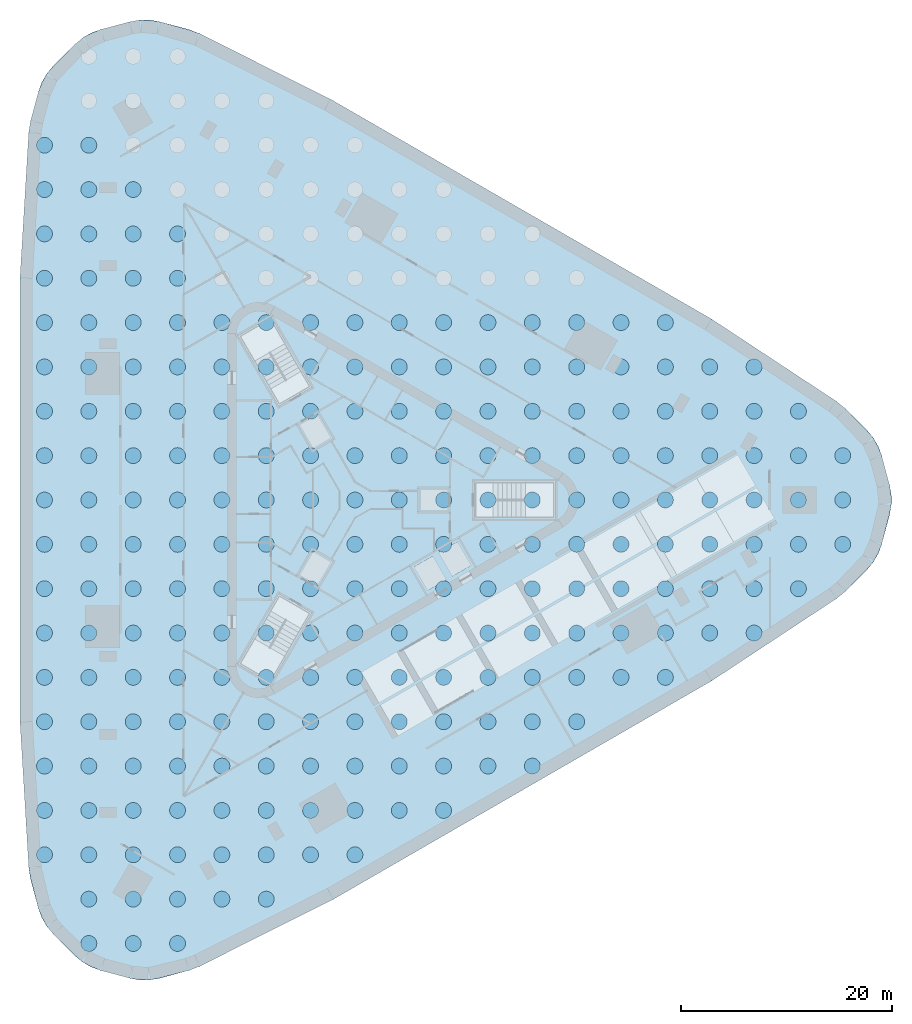
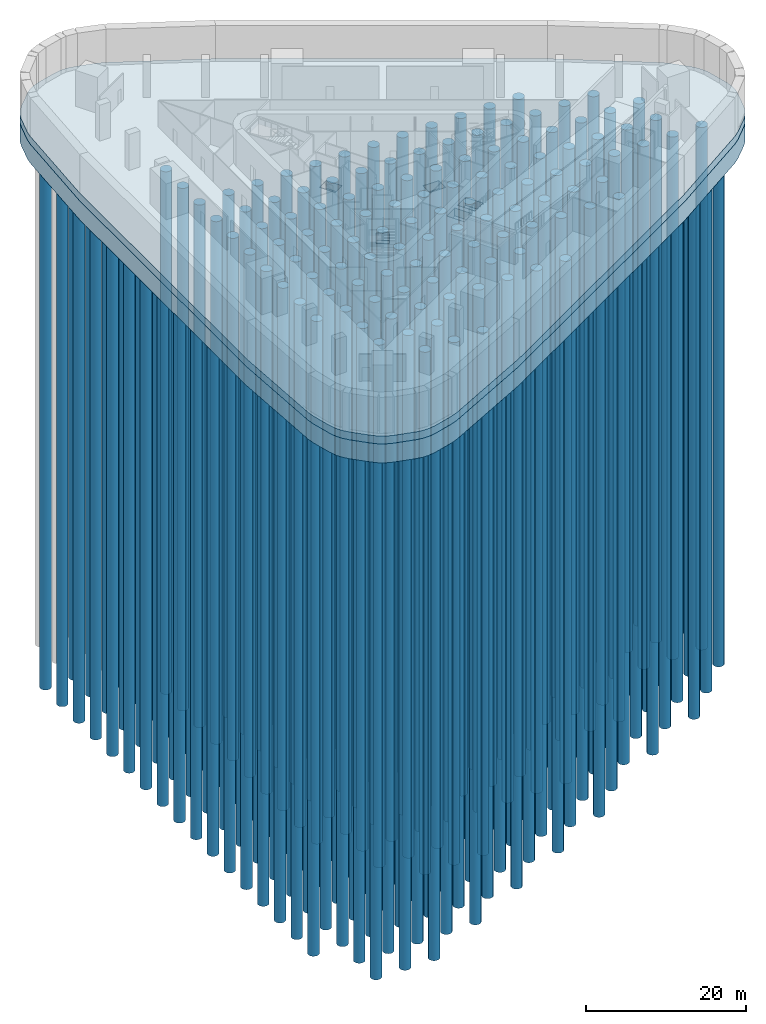
# One storey, part 1 of 13: 221 piles, 2 footings.
"""IFC4 building model written with IfcOpenShell, lengths in metres."""

from ifc_helpers import new_model, si_unit, direction, frame, origin, origin_2d, place, context, subcontext, project, spatial, polyline, circle, outline, extrude, material, layer, layer_set, material_profile, profile_set, type_object, element, save


model = new_model("IFC4")

# Units and contexts
model_context = context("Model", 3, precision=1e-05, world=origin(), true_north=direction((0.0, 1.0)))
body_context = subcontext(model_context, "Body", "Model", "MODEL_VIEW")
ifc_project = project(units=[si_unit("LENGTHUNIT", "METRE"), si_unit("AREAUNIT", "SQUARE_METRE"), si_unit("VOLUMEUNIT", "CUBIC_METRE"), si_unit("PLANEANGLEUNIT", "RADIAN"), si_unit("MASSUNIT", "GRAM", prefix="KILO")], contexts=[model_context])

# Site, building, storey
site_placement = place(None, origin())
site = spatial("IfcSite", under=ifc_project, at=site_placement, CompositionType="ELEMENT")
building_placement = place(site_placement, origin())
building = spatial("IfcBuilding", under=site, at=building_placement, Name="Tanit Gate Tower", CompositionType="ELEMENT")
storey_placement = place(building_placement, frame((0.0, 0.0, -11.0)))
storey = spatial("IfcBuildingStorey", under=building, at=storey_placement, Name="B2", CompositionType="ELEMENT", Elevation=-11.0)

# Piles
ifc_material_1 = material(Name="Concrete C35/45", Category="concrete")
ifc_material_profile = material_profile(ifc_material_1, circle(Radius=0.75, at=origin_2d()), Name="BORED PILE D1500 C35/45")
ifc_profile_set = profile_set([ifc_material_profile], Name="Concrete C35/45")
pile_type = type_object("IfcPileType", Name="BORED PILE D1500", PredefinedType="BORED", material=ifc_profile_set)
for number, where, z_axis, x_axis, name in (
    (1, (-25.199951171875, -42.0, -4.39990234375), (0.0, 0.0, -1.0), (1.0, 0.0, 0.0), "BORED PILE 001"),
    (2, (-21.0, -42.0, -4.39990234375), (0.0, 0.0, -1.0), (1.0, 0.0, 0.0), "BORED PILE 002"),
    (3, (-16.800048828125, -42.0, -4.39990234375), (0.0, 0.0, -1.0), (1.0, 0.0, 0.0), "BORED PILE 003"),
    (4, (-25.199951171875, -37.800048828125, -4.39990234375), (0.0, 0.0, -1.0), (1.0, 0.0, 0.0), "BORED PILE 004"),
    (5, (-21.0, -37.800048828125, -4.39990234375), (0.0, 0.0, -1.0), (1.0, 0.0, 0.0), "BORED PILE 005"),
    (6, (-16.800048828125, -37.800048828125, -4.39990234375), (0.0, 0.0, -1.0), (1.0, 0.0, 0.0), "BORED PILE 006"),
    (7, (-12.60009765625, -37.800048828125, -4.39990234375), (0.0, 0.0, -1.0), (1.0, 0.0, 0.0), "BORED PILE 007"),
    (8, (-8.39990234375, -37.800048828125, -4.39990234375), (0.0, 0.0, -1.0), (1.0, 0.0, 0.0), "BORED PILE 008"),
    (9, (-29.39990234375, -33.60009765625, -4.39990234375), (0.0, 0.0, -1.0), (1.0, 0.0, 0.0), "BORED PILE 009"),
    (10, (-25.199951171875, -33.60009765625, -4.39990234375), (0.0, 0.0, -1.0), (1.0, 0.0, 0.0), "BORED PILE 010"),
    (11, (-21.0, -33.60009765625, -4.39990234375), (0.0, 0.0, -1.0), (1.0, 0.0, 0.0), "BORED PILE 011"),
    (12, (-16.800048828125, -33.60009765625, -4.39990234375), (0.0, 0.0, -1.0), (1.0, 0.0, 0.0), "BORED PILE 012"),
    (13, (-12.60009765625, -33.60009765625, -4.39990234375), (0.0, 0.0, -1.0), (1.0, 0.0, 0.0), "BORED PILE 013"),
    (14, (-8.39990234375, -33.60009765625, -4.39990234375), (0.0, 0.0, -1.0), (1.0, 0.0, 0.0), "BORED PILE 014"),
    (15, (-4.199951171875, -33.60009765625, -4.39990234375), (0.0, 0.0, -1.0), (1.0, 0.0, 0.0), "BORED PILE 015"),
    (16, (0.0, -33.60009765625, -4.39990234375), (0.0, 0.0, -1.0), (1.0, 0.0, 0.0), "BORED PILE 016"),
    (17, (-29.39990234375, -29.39990234375, -4.39990234375), (0.0, 0.0, -1.0), (1.0, 0.0, 0.0), "BORED PILE 017"),
    (18, (-25.199951171875, -29.39990234375, -4.39990234375), (0.0, 0.0, -1.0), (1.0, 0.0, 0.0), "BORED PILE 018"),
    (19, (-21.0, -29.39990234375, -4.39990234375), (0.0, 0.0, -1.0), (1.0, 0.0, 0.0), "BORED PILE 019"),
    (20, (-16.800048828125, -29.39990234375, -4.39990234375), (0.0, 0.0, -1.0), (1.0, 0.0, 0.0), "BORED PILE 020"),
    (21, (-12.60009765625, -29.39990234375, -4.39990234375), (0.0, 0.0, -1.0), (1.0, 0.0, 0.0), "BORED PILE 021"),
    (22, (-8.39990234375, -29.39990234375, -4.39990234375), (0.0, 0.0, -1.0), (1.0, 0.0, 0.0), "BORED PILE 022"),
    (23, (-4.199951171875, -29.39990234375, -4.39990234375), (0.0, 0.0, -1.0), (1.0, 0.0, 0.0), "BORED PILE 023"),
    (24, (0.0, -29.39990234375, -4.39990234375), (0.0, 0.0, -1.0), (1.0, 0.0, 0.0), "BORED PILE 024"),
    (25, (4.199951171875, -29.39990234375, -4.39990234375), (0.0, 0.0, -1.0), (1.0, 0.0, 0.0), "BORED PILE 025"),
    (26, (8.39990234375, -29.39990234375, -4.39990234375), (0.0, 0.0, -1.0), (1.0, 0.0, 0.0), "BORED PILE 026"),
    (27, (-29.39990234375, -25.199951171875, -4.39990234375), (0.0, 0.0, -1.0), (1.0, 0.0, 0.0), "BORED PILE 027"),
    (28, (-25.199951171875, -25.199951171875, -4.39990234375), (0.0, 0.0, -1.0), (1.0, 0.0, 0.0), "BORED PILE 028"),
    (29, (-21.0, -25.199951171875, -4.39990234375), (0.0, 0.0, -1.0), (1.0, 0.0, 0.0), "BORED PILE 029"),
    (30, (-16.800048828125, -25.199951171875, -4.39990234375), (0.0, 0.0, -1.0), (1.0, 0.0, 0.0), "BORED PILE 030"),
    (31, (-12.60009765625, -25.199951171875, -4.39990234375), (0.0, 0.0, -1.0), (1.0, 0.0, 0.0), "BORED PILE 031"),
    (32, (-8.39990234375, -25.199951171875, -4.39990234375), (0.0, 0.0, -1.0), (1.0, 0.0, 0.0), "BORED PILE 032"),
    (33, (-4.199951171875, -25.199951171875, -4.39990234375), (0.0, 0.0, -1.0), (1.0, 0.0, 0.0), "BORED PILE 033"),
    (34, (0.0, -25.199951171875, -4.39990234375), (0.0, 0.0, -1.0), (1.0, 0.0, 0.0), "BORED PILE 034"),
    (35, (4.199951171875, -25.199951171875, -4.39990234375), (0.0, 0.0, -1.0), (1.0, 0.0, 0.0), "BORED PILE 035"),
    (36, (8.39990234375, -25.199951171875, -4.39990234375), (0.0, 0.0, -1.0), (1.0, 0.0, 0.0), "BORED PILE 036"),
    (37, (12.60009765625, -25.199951171875, -4.39990234375), (0.0, 0.0, -1.0), (1.0, 0.0, 0.0), "BORED PILE 037"),
    (38, (16.800048828125, -25.199951171875, -4.39990234375), (0.0, 0.0, -1.0), (1.0, 0.0, 0.0), "BORED PILE 038"),
    (39, (-29.39990234375, -21.0, -4.39990234375), (0.0, 0.0, -1.0), (1.0, 0.0, 0.0), "BORED PILE 039"),
    (40, (-25.199951171875, -21.0, -4.39990234375), (0.0, 0.0, -1.0), (1.0, 0.0, 0.0), "BORED PILE 040"),
    (41, (-21.0, -21.0, -4.39990234375), (0.0, 0.0, -1.0), (1.0, 0.0, 0.0), "BORED PILE 041"),
    (42, (-16.800048828125, -21.0, -4.39990234375), (0.0, 0.0, -1.0), (1.0, 0.0, 0.0), "BORED PILE 042"),
    (43, (-12.60009765625, -21.0, -4.39990234375), (0.0, 0.0, -1.0), (1.0, 0.0, 0.0), "BORED PILE 043"),
    (44, (-8.39990234375, -21.0, -4.39990234375), (0.0, 0.0, -1.0), (1.0, 0.0, 0.0), "BORED PILE 044"),
    (45, (-4.199951171875, -21.0, -4.39990234375), (0.0, 0.0, -1.0), (1.0, 0.0, 0.0), "BORED PILE 045"),
    (46, (0.0, -21.0, -4.39990234375), (0.0, 0.0, -1.0), (1.0, 0.0, 0.0), "BORED PILE 046"),
    (47, (4.199951171875, -21.0, -4.39990234375), (0.0, 0.0, -1.0), (1.0, 0.0, 0.0), "BORED PILE 047"),
    (48, (8.39990234375, -21.0, -4.39990234375), (0.0, 0.0, -1.0), (1.0, 0.0, 0.0), "BORED PILE 048"),
    (49, (12.60009765625, -21.0, -4.39990234375), (0.0, 0.0, -1.0), (1.0, 0.0, 0.0), "BORED PILE 049"),
    (50, (16.800048828125, -21.0, -4.39990234375), (0.0, 0.0, -1.0), (1.0, 0.0, 0.0), "BORED PILE 050"),
    (51, (21.0, -21.0, -4.39990234375), (0.0, 0.0, -1.0), (1.0, 0.0, 0.0), "BORED PILE 051"),
    (52, (-29.39990234375, -16.800048828125, -4.39990234375), (0.0, 0.0, -1.0), (1.0, 0.0, 0.0), "BORED PILE 052"),
    (53, (-25.199951171875, -16.800048828125, -4.39990234375), (0.0, 0.0, -1.0), (1.0, 0.0, 0.0), "BORED PILE 053"),
    (54, (-21.0, -16.800048828125, -4.39990234375), (0.0, 0.0, -1.0), (1.0, 0.0, 0.0), "BORED PILE 054"),
    (55, (-16.800048828125, -16.800048828125, -4.39990234375), (0.0, 0.0, -1.0), (1.0, 0.0, 0.0), "BORED PILE 055"),
    (56, (-12.60009765625, -16.800048828125, -4.39990234375), (0.0, 0.0, -1.0), (1.0, 0.0, 0.0), "BORED PILE 056"),
    (57, (-8.39990234375, -16.800048828125, -4.39990234375), (0.0, 0.0, -1.0), (1.0, 0.0, 0.0), "BORED PILE 057"),
    (58, (-4.199951171875, -16.800048828125, -4.39990234375), (0.0, 0.0, -1.0), (1.0, 0.0, 0.0), "BORED PILE 058"),
    (59, (0.0, -16.800048828125, -4.39990234375), (0.0, 0.0, -1.0), (1.0, 0.0, 0.0), "BORED PILE 059"),
    (60, (4.199951171875, -16.800048828125, -4.39990234375), (0.0, 0.0, -1.0), (1.0, 0.0, 0.0), "BORED PILE 060"),
    (61, (8.39990234375, -16.800048828125, -4.39990234375), (0.0, 0.0, -1.0), (1.0, 0.0, 0.0), "BORED PILE 061"),
    (62, (12.60009765625, -16.800048828125, -4.39990234375), (0.0, 0.0, -1.0), (1.0, 0.0, 0.0), "BORED PILE 062"),
    (63, (16.800048828125, -16.800048828125, -4.39990234375), (0.0, 0.0, -1.0), (1.0, 0.0, 0.0), "BORED PILE 063"),
    (64, (21.0, -16.800048828125, -4.39990234375), (0.0, 0.0, -1.0), (1.0, 0.0, 0.0), "BORED PILE 064"),
    (65, (25.199951171875, -16.800048828125, -4.39990234375), (0.0, 0.0, -1.0), (1.0, 0.0, 0.0), "BORED PILE 065"),
    (66, (29.39990234375, -16.800048828125, -4.39990234375), (0.0, 0.0, -1.0), (1.0, 0.0, 0.0), "BORED PILE 066"),
    (67, (-29.39990234375, -12.60009765625, -4.39990234375), (0.0, 0.0, -1.0), (1.0, 0.0, 0.0), "BORED PILE 067"),
    (68, (-25.199951171875, -12.60009765625, -4.39990234375), (0.0, 0.0, -1.0), (1.0, 0.0, 0.0), "BORED PILE 068"),
    (69, (-21.0, -12.60009765625, -4.39990234375), (0.0, 0.0, -1.0), (1.0, 0.0, 0.0), "BORED PILE 069"),
    (70, (-16.800048828125, -12.60009765625, -4.39990234375), (0.0, 0.0, -1.0), (1.0, 0.0, 0.0), "BORED PILE 070"),
    (71, (-12.60009765625, -12.60009765625, -4.39990234375), (0.0, 0.0, -1.0), (1.0, 0.0, 0.0), "BORED PILE 071"),
    (72, (-8.39990234375, -12.60009765625, -4.39990234375), (0.0, 0.0, -1.0), (1.0, 0.0, 0.0), "BORED PILE 072"),
    (73, (-4.199951171875, -12.60009765625, -4.39990234375), (0.0, 0.0, -1.0), (1.0, 0.0, 0.0), "BORED PILE 073"),
    (74, (0.0, -12.60009765625, -4.39990234375), (0.0, 0.0, -1.0), (1.0, 0.0, 0.0), "BORED PILE 074"),
    (75, (4.199951171875, -12.60009765625, -4.39990234375), (0.0, 0.0, -1.0), (1.0, 0.0, 0.0), "BORED PILE 075"),
    (76, (8.39990234375, -12.60009765625, -4.39990234375), (0.0, 0.0, -1.0), (1.0, 0.0, 0.0), "BORED PILE 076"),
    (77, (12.60009765625, -12.60009765625, -4.39990234375), (0.0, 0.0, -1.0), (1.0, 0.0, 0.0), "BORED PILE 077"),
    (78, (16.800048828125, -12.60009765625, -4.39990234375), (0.0, 0.0, -1.0), (1.0, 0.0, 0.0), "BORED PILE 078"),
    (79, (21.0, -12.60009765625, -4.39990234375), (0.0, 0.0, -1.0), (1.0, 0.0, 0.0), "BORED PILE 079"),
    (80, (25.199951171875, -12.60009765625, -4.39990234375), (0.0, 0.0, -1.0), (1.0, 0.0, 0.0), "BORED PILE 080"),
    (81, (29.39990234375, -12.60009765625, -4.39990234375), (0.0, 0.0, -1.0), (1.0, 0.0, 0.0), "BORED PILE 081"),
    (82, (33.60009765625, -12.60009765625, -4.39990234375), (0.0, 0.0, -1.0), (1.0, 0.0, 0.0), "BORED PILE 082"),
    (83, (37.800048828125, -12.60009765625, -4.39990234375), (0.0, 0.0, -1.0), (1.0, 0.0, 0.0), "BORED PILE 083"),
    (84, (-29.39990234375, -8.39990234375, -4.39990234375), (0.0, 0.0, -1.0), (1.0, 0.0, 0.0), "BORED PILE 084"),
    (85, (-25.199951171875, -8.39990234375, -4.39990234375), (0.0, 0.0, -1.0), (1.0, 0.0, 0.0), "BORED PILE 085"),
    (86, (-21.0, -8.39990234375, -4.39990234375), (0.0, 0.0, -1.0), (1.0, 0.0, 0.0), "BORED PILE 086"),
    (87, (-16.800048828125, -8.39990234375, -4.39990234375), (0.0, 0.0, -1.0), (1.0, 0.0, 0.0), "BORED PILE 087"),
    (88, (-12.60009765625, -8.39990234375, -4.39990234375), (0.0, 0.0, -1.0), (1.0, 0.0, 0.0), "BORED PILE 088"),
    (89, (-8.39990234375, -8.39990234375, -4.39990234375), (0.0, 0.0, -1.0), (1.0, 0.0, 0.0), "BORED PILE 089"),
    (90, (-4.199951171875, -8.39990234375, -4.39990234375), (0.0, 0.0, -1.0), (1.0, 0.0, 0.0), "BORED PILE 090"),
    (91, (0.0, -8.39990234375, -4.39990234375), (0.0, 0.0, -1.0), (1.0, 0.0, 0.0), "BORED PILE 091"),
    (92, (4.199951171875, -8.39990234375, -4.39990234375), (0.0, 0.0, -1.0), (1.0, 0.0, 0.0), "BORED PILE 092"),
    (93, (8.39990234375, -8.39990234375, -4.39990234375), (0.0, 0.0, -1.0), (1.0, 0.0, 0.0), "BORED PILE 093"),
    (94, (12.60009765625, -8.39990234375, -4.39990234375), (0.0, 0.0, -1.0), (1.0, 0.0, 0.0), "BORED PILE 094"),
    (95, (16.800048828125, -8.39990234375, -4.39990234375), (0.0, 0.0, -1.0), (1.0, 0.0, 0.0), "BORED PILE 095"),
    (96, (21.0, -8.39990234375, -4.39990234375), (0.0, 0.0, -1.0), (1.0, 0.0, 0.0), "BORED PILE 096"),
    (97, (25.199951171875, -8.39990234375, -4.39990234375), (0.0, 0.0, -1.0), (1.0, 0.0, 0.0), "BORED PILE 097"),
    (98, (29.39990234375, -8.39990234375, -4.39990234375), (0.0, 0.0, -1.0), (1.0, 0.0, 0.0), "BORED PILE 098"),
    (99, (33.60009765625, -8.39990234375, -4.39990234375), (0.0, 0.0, -1.0), (1.0, 0.0, 0.0), "BORED PILE 099"),
    (100, (37.800048828125, -8.39990234375, -4.39990234375), (0.0, 0.0, -1.0), (1.0, 0.0, 0.0), "BORED PILE 100"),
    (101, (42.0, -8.39990234375, -4.39990234375), (0.0, 0.0, -1.0), (1.0, 0.0, 0.0), "BORED PILE 101"),
    (102, (-29.39990234375, -4.199951171875, -4.39990234375), (0.0, 0.0, -1.0), (1.0, 0.0, 0.0), "BORED PILE 102"),
    (103, (-25.199951171875, -4.199951171875, -4.39990234375), (0.0, 0.0, -1.0), (1.0, 0.0, 0.0), "BORED PILE 103"),
    (104, (-21.0, -4.199951171875, -4.39990234375), (0.0, 0.0, -1.0), (1.0, 0.0, 0.0), "BORED PILE 104"),
    (105, (-16.800048828125, -4.199951171875, -4.39990234375), (0.0, 0.0, -1.0), (1.0, 0.0, 0.0), "BORED PILE 105"),
    (106, (-12.60009765625, -4.199951171875, -4.39990234375), (0.0, 0.0, -1.0), (1.0, 0.0, 0.0), "BORED PILE 106"),
    (107, (-8.39990234375, -4.199951171875, -4.39990234375), (0.0, 0.0, -1.0), (1.0, 0.0, 0.0), "BORED PILE 107"),
    (108, (-4.199951171875, -4.199951171875, -4.39990234375), (0.0, 0.0, -1.0), (1.0, 0.0, 0.0), "BORED PILE 108"),
    (109, (0.0, -4.199951171875, -4.39990234375), (0.0, 0.0, -1.0), (1.0, 0.0, 0.0), "BORED PILE 109"),
    (110, (4.199951171875, -4.199951171875, -4.39990234375), (0.0, 0.0, -1.0), (1.0, 0.0, 0.0), "BORED PILE 110"),
    (111, (8.39990234375, -4.199951171875, -4.39990234375), (0.0, 0.0, -1.0), (1.0, 0.0, 0.0), "BORED PILE 111"),
    (112, (12.60009765625, -4.199951171875, -4.39990234375), (0.0, 0.0, -1.0), (1.0, 0.0, 0.0), "BORED PILE 112"),
    (113, (16.800048828125, -4.199951171875, -4.39990234375), (0.0, 0.0, -1.0), (1.0, 0.0, 0.0), "BORED PILE 113"),
    (114, (21.0, -4.199951171875, -4.39990234375), (0.0, 0.0, -1.0), (1.0, 0.0, 0.0), "BORED PILE 114"),
    (115, (25.199951171875, -4.199951171875, -4.39990234375), (0.0, 0.0, -1.0), (1.0, 0.0, 0.0), "BORED PILE 115"),
    (116, (29.39990234375, -4.199951171875, -4.39990234375), (0.0, 0.0, -1.0), (1.0, 0.0, 0.0), "BORED PILE 116"),
    (117, (33.60009765625, -4.199951171875, -4.39990234375), (0.0, 0.0, -1.0), (1.0, 0.0, 0.0), "BORED PILE 117"),
    (118, (37.800048828125, -4.199951171875, -4.39990234375), (0.0, 0.0, -1.0), (1.0, 0.0, 0.0), "BORED PILE 118"),
    (119, (42.0, -4.199951171875, -4.39990234375), (0.0, 0.0, -1.0), (1.0, 0.0, 0.0), "BORED PILE 119"),
    (120, (46.199951171875, -4.199951171875, -4.39990234375), (0.0, 0.0, -1.0), (1.0, 0.0, 0.0), "BORED PILE 120"),
    (121, (-29.39990234375, 0.0, -4.39990234375), (0.0, 0.0, -1.0), (1.0, 0.0, 0.0), "BORED PILE 121"),
    (122, (-25.199951171875, 0.0, -4.39990234375), (0.0, 0.0, -1.0), (1.0, 0.0, 0.0), "BORED PILE 122"),
    (123, (-21.0, 0.0, -4.39990234375), (0.0, 0.0, -1.0), (1.0, 0.0, 0.0), "BORED PILE 123"),
    (124, (-16.800048828125, 0.0, -4.39990234375), (0.0, 0.0, -1.0), (1.0, 0.0, 0.0), "BORED PILE 124"),
    (125, (-12.60009765625, 0.0, -4.39990234375), (0.0, 0.0, -1.0), (1.0, 0.0, 0.0), "BORED PILE 125"),
    (126, (-8.39990234375, 0.0, -4.39990234375), (0.0, 0.0, -1.0), (1.0, 0.0, 0.0), "BORED PILE 126"),
    (127, (-4.199951171875, 0.0, -4.39990234375), (0.0, 0.0, -1.0), (1.0, 0.0, 0.0), "BORED PILE 127"),
    (128, (0.0, 0.0, -4.39990234375), (0.0, 0.0, -1.0), (1.0, 0.0, 0.0), "BORED PILE 128"),
    (129, (4.199951171875, 0.0, -4.39990234375), (0.0, 0.0, -1.0), (1.0, 0.0, 0.0), "BORED PILE 129"),
    (130, (8.39990234375, 0.0, -4.39990234375), (0.0, 0.0, -1.0), (1.0, 0.0, 0.0), "BORED PILE 130"),
    (131, (12.60009765625, 0.0, -4.39990234375), (0.0, 0.0, -1.0), (1.0, 0.0, 0.0), "BORED PILE 131"),
    (132, (16.800048828125, 0.0, -4.39990234375), (0.0, 0.0, -1.0), (1.0, 0.0, 0.0), "BORED PILE 132"),
    (133, (21.0, 0.0, -4.39990234375), (0.0, 0.0, -1.0), (1.0, 0.0, 0.0), "BORED PILE 133"),
    (134, (25.199951171875, 0.0, -4.39990234375), (0.0, 0.0, -1.0), (1.0, 0.0, 0.0), "BORED PILE 134"),
    (135, (29.39990234375, 0.0, -4.39990234375), (0.0, 0.0, -1.0), (1.0, 0.0, 0.0), "BORED PILE 135"),
    (136, (33.60009765625, 0.0, -4.39990234375), (0.0, 0.0, -1.0), (1.0, 0.0, 0.0), "BORED PILE 136"),
    (137, (37.800048828125, 0.0, -4.39990234375), (0.0, 0.0, -1.0), (1.0, 0.0, 0.0), "BORED PILE 137"),
    (138, (42.0, 0.0, -4.39990234375), (0.0, 0.0, -1.0), (1.0, 0.0, 0.0), "BORED PILE 138"),
    (139, (46.199951171875, 0.0, -4.39990234375), (0.0, 0.0, -1.0), (1.0, 0.0, 0.0), "BORED PILE 139"),
    (140, (-29.39990234375, 4.199951171875, -4.39990234375), (0.0, 0.0, -1.0), (1.0, 0.0, 0.0), "BORED PILE 140"),
    (141, (-25.199951171875, 4.199951171875, -4.39990234375), (0.0, 0.0, -1.0), (1.0, 0.0, 0.0), "BORED PILE 141"),
    (142, (-21.0, 4.199951171875, -4.39990234375), (0.0, 0.0, -1.0), (1.0, 0.0, 0.0), "BORED PILE 142"),
    (143, (-16.800048828125, 4.199951171875, -4.39990234375), (0.0, 0.0, -1.0), (1.0, 0.0, 0.0), "BORED PILE 143"),
    (144, (-12.60009765625, 4.199951171875, -4.39990234375), (0.0, 0.0, -1.0), (1.0, 0.0, 0.0), "BORED PILE 144"),
    (145, (-8.39990234375, 4.199951171875, -4.39990234375), (0.0, 0.0, -1.0), (1.0, 0.0, 0.0), "BORED PILE 145"),
    (146, (-4.199951171875, 4.199951171875, -4.39990234375), (0.0, 0.0, -1.0), (1.0, 0.0, 0.0), "BORED PILE 146"),
    (147, (0.0, 4.199951171875, -4.39990234375), (0.0, 0.0, -1.0), (1.0, 0.0, 0.0), "BORED PILE 147"),
    (148, (4.199951171875, 4.199951171875, -4.39990234375), (0.0, 0.0, -1.0), (1.0, 0.0, 0.0), "BORED PILE 148"),
    (149, (8.39990234375, 4.199951171875, -4.39990234375), (0.0, 0.0, -1.0), (1.0, 0.0, 0.0), "BORED PILE 149"),
    (150, (12.60009765625, 4.199951171875, -4.39990234375), (0.0, 0.0, -1.0), (1.0, 0.0, 0.0), "BORED PILE 150"),
    (151, (16.800048828125, 4.199951171875, -4.39990234375), (0.0, 0.0, -1.0), (1.0, 0.0, 0.0), "BORED PILE 151"),
    (152, (21.0, 4.199951171875, -4.39990234375), (0.0, 0.0, -1.0), (1.0, 0.0, 0.0), "BORED PILE 152"),
    (153, (25.199951171875, 4.199951171875, -4.39990234375), (0.0, 0.0, -1.0), (1.0, 0.0, 0.0), "BORED PILE 153"),
    (154, (29.39990234375, 4.199951171875, -4.39990234375), (0.0, 0.0, -1.0), (1.0, 0.0, 0.0), "BORED PILE 154"),
    (155, (33.60009765625, 4.199951171875, -4.39990234375), (0.0, 0.0, -1.0), (1.0, 0.0, 0.0), "BORED PILE 155"),
    (156, (37.800048828125, 4.199951171875, -4.39990234375), (0.0, 0.0, -1.0), (1.0, 0.0, 0.0), "BORED PILE 156"),
    (157, (42.0, 4.199951171875, -4.39990234375), (0.0, 0.0, -1.0), (1.0, 0.0, 0.0), "BORED PILE 157"),
    (158, (46.199951171875, 4.199951171875, -4.39990234375), (0.0, 0.0, -1.0), (1.0, 0.0, 0.0), "BORED PILE 158"),
    (159, (-29.39990234375, 8.39990234375, -4.39990234375), (0.0, 0.0, -1.0), (1.0, 0.0, 0.0), "BORED PILE 159"),
    (160, (-25.199951171875, 8.39990234375, -4.39990234375), (0.0, 0.0, -1.0), (1.0, 0.0, 0.0), "BORED PILE 160"),
    (161, (-21.0, 8.39990234375, -4.39990234375), (0.0, 0.0, -1.0), (1.0, 0.0, 0.0), "BORED PILE 161"),
    (162, (-16.800048828125, 8.39990234375, -4.39990234375), (0.0, 0.0, -1.0), (1.0, 0.0, 0.0), "BORED PILE 162"),
    (163, (-12.60009765625, 8.39990234375, -4.39990234375), (0.0, 0.0, -1.0), (1.0, 0.0, 0.0), "BORED PILE 163"),
    (164, (-8.39990234375, 8.39990234375, -4.39990234375), (0.0, 0.0, -1.0), (1.0, 0.0, 0.0), "BORED PILE 164"),
    (165, (-4.199951171875, 8.39990234375, -4.39990234375), (0.0, 0.0, -1.0), (1.0, 0.0, 0.0), "BORED PILE 165"),
    (166, (0.0, 8.39990234375, -4.39990234375), (0.0, 0.0, -1.0), (1.0, 0.0, 0.0), "BORED PILE 166"),
    (167, (4.199951171875, 8.39990234375, -4.39990234375), (0.0, 0.0, -1.0), (1.0, 0.0, 0.0), "BORED PILE 167"),
    (168, (8.39990234375, 8.39990234375, -4.39990234375), (0.0, 0.0, -1.0), (1.0, 0.0, 0.0), "BORED PILE 168"),
    (169, (12.60009765625, 8.39990234375, -4.39990234375), (0.0, 0.0, -1.0), (1.0, 0.0, 0.0), "BORED PILE 169"),
    (170, (16.800048828125, 8.39990234375, -4.39990234375), (0.0, 0.0, -1.0), (1.0, 0.0, 0.0), "BORED PILE 170"),
    (171, (21.0, 8.39990234375, -4.39990234375), (0.0, 0.0, -1.0), (1.0, 0.0, 0.0), "BORED PILE 171"),
    (172, (25.199951171875, 8.39990234375, -4.39990234375), (0.0, 0.0, -1.0), (1.0, 0.0, 0.0), "BORED PILE 172"),
    (173, (29.39990234375, 8.39990234375, -4.39990234375), (0.0, 0.0, -1.0), (1.0, 0.0, 0.0), "BORED PILE 173"),
    (174, (33.60009765625, 8.39990234375, -4.39990234375), (0.0, 0.0, -1.0), (1.0, 0.0, 0.0), "BORED PILE 174"),
    (175, (37.800048828125, 8.39990234375, -4.39990234375), (0.0, 0.0, -1.0), (1.0, 0.0, 0.0), "BORED PILE 175"),
    (176, (42.0, 8.39990234375, -4.39990234375), (0.0, 0.0, -1.0), (1.0, 0.0, 0.0), "BORED PILE 176"),
    (177, (-29.39990234375, 12.60009765625, -4.39990234375), (0.0, 0.0, -1.0), (1.0, 0.0, 0.0), "BORED PILE 177"),
    (178, (-25.199951171875, 12.60009765625, -4.39990234375), (0.0, 0.0, -1.0), (1.0, 0.0, 0.0), "BORED PILE 178"),
    (179, (-21.0, 12.60009765625, -4.39990234375), (0.0, 0.0, -1.0), (1.0, 0.0, 0.0), "BORED PILE 179"),
    (180, (-16.800048828125, 12.60009765625, -4.39990234375), (0.0, 0.0, -1.0), (1.0, 0.0, 0.0), "BORED PILE 180"),
    (181, (-12.60009765625, 12.60009765625, -4.39990234375), (0.0, 0.0, -1.0), (1.0, 0.0, 0.0), "BORED PILE 181"),
    (182, (-8.39990234375, 12.60009765625, -4.39990234375), (0.0, 0.0, -1.0), (1.0, 0.0, 0.0), "BORED PILE 182"),
    (183, (-4.199951171875, 12.60009765625, -4.39990234375), (0.0, 0.0, -1.0), (1.0, 0.0, 0.0), "BORED PILE 183"),
    (184, (0.0, 12.60009765625, -4.39990234375), (0.0, 0.0, -1.0), (1.0, 0.0, 0.0), "BORED PILE 184"),
    (185, (4.199951171875, 12.60009765625, -4.39990234375), (0.0, 0.0, -1.0), (1.0, 0.0, 0.0), "BORED PILE 185"),
    (186, (8.39990234375, 12.60009765625, -4.39990234375), (0.0, 0.0, -1.0), (1.0, 0.0, 0.0), "BORED PILE 186"),
    (187, (12.60009765625, 12.60009765625, -4.39990234375), (0.0, 0.0, -1.0), (1.0, 0.0, 0.0), "BORED PILE 187"),
    (188, (16.800048828125, 12.60009765625, -4.39990234375), (0.0, 0.0, -1.0), (1.0, 0.0, 0.0), "BORED PILE 188"),
    (189, (21.0, 12.60009765625, -4.39990234375), (0.0, 0.0, -1.0), (1.0, 0.0, 0.0), "BORED PILE 189"),
    (190, (25.199951171875, 12.60009765625, -4.39990234375), (0.0, 0.0, -1.0), (1.0, 0.0, 0.0), "BORED PILE 190"),
    (191, (29.39990234375, 12.60009765625, -4.39990234375), (0.0, 0.0, -1.0), (1.0, 0.0, 0.0), "BORED PILE 191"),
    (192, (33.60009765625, 12.60009765625, -4.39990234375), (0.0, 0.0, -1.0), (1.0, 0.0, 0.0), "BORED PILE 192"),
    (193, (37.800048828125, 12.60009765625, -4.39990234375), (0.0, 0.0, -1.0), (1.0, 0.0, 0.0), "BORED PILE 193"),
    (194, (-29.39990234375, 16.800048828125, -4.39990234375), (0.0, 0.0, -1.0), (1.0, 0.0, 0.0), "BORED PILE 194"),
    (195, (-25.199951171875, 16.800048828125, -4.39990234375), (0.0, 0.0, -1.0), (1.0, 0.0, 0.0), "BORED PILE 195"),
    (196, (-21.0, 16.800048828125, -4.39990234375), (0.0, 0.0, -1.0), (1.0, 0.0, 0.0), "BORED PILE 196"),
    (197, (-16.800048828125, 16.800048828125, -4.39990234375), (0.0, 0.0, -1.0), (1.0, 0.0, 0.0), "BORED PILE 197"),
    (198, (-12.60009765625, 16.800048828125, -4.39990234375), (0.0, 0.0, -1.0), (1.0, 0.0, 0.0), "BORED PILE 198"),
    (199, (-8.39990234375, 16.800048828125, -4.39990234375), (0.0, 0.0, -1.0), (1.0, 0.0, 0.0), "BORED PILE 199"),
    (200, (-4.199951171875, 16.800048828125, -4.39990234375), (0.0, 0.0, -1.0), (1.0, 0.0, 0.0), "BORED PILE 200"),
    (201, (0.0, 16.800048828125, -4.39990234375), (0.0, 0.0, -1.0), (1.0, 0.0, 0.0), "BORED PILE 201"),
    (202, (4.199951171875, 16.800048828125, -4.39990234375), (0.0, 0.0, -1.0), (1.0, 0.0, 0.0), "BORED PILE 202"),
    (203, (8.39990234375, 16.800048828125, -4.39990234375), (0.0, 0.0, -1.0), (1.0, 0.0, 0.0), "BORED PILE 203"),
    (204, (12.60009765625, 16.800048828125, -4.39990234375), (0.0, 0.0, -1.0), (1.0, 0.0, 0.0), "BORED PILE 204"),
    (205, (16.800048828125, 16.800048828125, -4.39990234375), (0.0, 0.0, -1.0), (1.0, 0.0, 0.0), "BORED PILE 205"),
    (206, (21.0, 16.800048828125, -4.39990234375), (0.0, 0.0, -1.0), (1.0, 0.0, 0.0), "BORED PILE 206"),
    (207, (25.199951171875, 16.800048828125, -4.39990234375), (0.0, 0.0, -1.0), (1.0, 0.0, 0.0), "BORED PILE 207"),
    (208, (29.39990234375, 16.800048828125, -4.39990234375), (0.0, 0.0, -1.0), (1.0, 0.0, 0.0), "BORED PILE 208"),
    (209, (-29.39990234375, 21.0, -4.39990234375), (0.0, 0.0, -1.0), (1.0, 0.0, 0.0), "BORED PILE 209"),
    (210, (-25.199951171875, 21.0, -4.39990234375), (0.0, 0.0, -1.0), (1.0, 0.0, 0.0), "BORED PILE 210"),
    (211, (-21.0, 21.0, -4.39990234375), (0.0, 0.0, -1.0), (1.0, 0.0, 0.0), "BORED PILE 211"),
    (212, (-16.800048828125, 21.0, -4.39990234375), (0.0, 0.0, -1.0), (1.0, 0.0, 0.0), "BORED PILE 212"),
    (213, (-29.39990234375, 25.199951171875, -4.39990234375), (0.0, 0.0, -1.0), (1.0, 0.0, 0.0), "BORED PILE 222"),
    (214, (-25.199951171875, 25.199951171875, -4.39990234375), (0.0, 0.0, -1.0), (1.0, 0.0, 0.0), "BORED PILE 223"),
    (215, (-21.0, 25.199951171875, -4.39990234375), (0.0, 0.0, -1.0), (1.0, 0.0, 0.0), "BORED PILE 224"),
    (216, (-16.800048828125, 25.199951171875, -4.39990234375), (0.0, 0.0, -1.0), (1.0, 0.0, 0.0), "BORED PILE 225"),
    (217, (-29.39990234375, 29.39990234375, -4.39990234375), (0.0, 0.0, -1.0), (1.0, 0.0, 0.0), "BORED PILE 234"),
    (218, (-25.199951171875, 29.39990234375, -4.39990234375), (0.0, 0.0, -1.0), (1.0, 0.0, 0.0), "BORED PILE 235"),
    (219, (-21.0, 29.39990234375, -4.39990234375), (0.0, 0.0, -1.0), (1.0, 0.0, 0.0), "BORED PILE 236"),
    (220, (-29.39990234375, 33.60009765625, -4.39990234375), (0.0, 0.0, -1.0), (1.0, 0.0, 0.0), "BORED PILE 244"),
    (221, (-25.199951171875, 33.60009765625, -4.39990234375), (0.0, 0.0, -1.0), (1.0, 0.0, 0.0), "BORED PILE 245"),
):
    element("IfcPile", number, at=place(storey_placement, frame(where, z_axis=z_axis, x_axis=x_axis)), inside=storey, type_object=pile_type, Name=name, PredefinedType="BORED", context=body_context, shape_type="SweptSolid", body=[
        extrude(circle(Radius=0.75, at=origin_2d()), origin(), (0.0, 0.0, 1.0), 80.0),
    ])

# Footings
ifc_material_2 = material(Name="Concrete C40/50", Category="concrete")
ifc_layer_1 = layer(ifc_material_2, 1.199951171875)
ifc_layer_set_1 = layer_set([ifc_layer_1], Name="PILED RAFT 1200 C40/50")
footing_type_1 = type_object("IfcFootingType", Name="PILED RAFT 1200 C40/50", PredefinedType="USERDEFINED", material=ifc_layer_set_1)
footing_1_placement = place(storey_placement, frame((0.0, 0.0, -1.60009765625)))
element("IfcFooting", 222, at=footing_1_placement, inside=storey, type_object=footing_type_1, Name="PILED RAFT", ObjectType="PILED RAFT", PredefinedType="USERDEFINED", context=body_context, shape_type="SweptSolid", body=[
    extrude(outline(polyline([(49.103759765625, 5.86572265625), (49.576416015625, 5.031982421875), (49.8876953125, 4.17138671875), (50.623779296875, 1.423583984375), (50.792236328125, 0.435791015625), (50.792236328125, -0.435791015625), (50.63330078125, -1.380859375), (49.8876953125, -4.17138671875), (49.576416015625, -5.031982421875), (49.103759765625, -5.86572265625), (48.464111328125, -6.636962890625), (46.45263671875, -8.6484375), (45.63330078125, -9.320068359375), (33.781005859375, -17.131591796875), (-2.0517578125, -37.822998046875), (-14.69970703125, -44.15966796875), (-15.688720703125, -44.537841796875), (-18.484375, -45.28955078125), (-19.47216796875, -45.4580078125), (-20.343505859375, -45.4580078125), (-21.288818359375, -45.299072265625), (-24.0791015625, -44.55322265625), (-25.018798828125, -44.205322265625), (-25.844970703125, -43.719482421875), (-26.544677734375, -43.1298828125), (-28.55615234375, -41.118408203125), (-29.19580078125, -40.34716796875), (-29.66845703125, -39.51318359375), (-29.979736328125, -38.652587890625), (-30.716064453125, -35.90478515625), (-30.88818359375, -34.859619140625), (-31.71728515625, -21.0166015625), (-31.719970703125, 21.017822265625), (-30.8935546875, 34.810302734375), (-30.716064453125, 35.90478515625), (-29.966552734375, 38.6943359375), (-29.66845703125, 39.51318359375), (-29.19580078125, 40.34716796875), (-28.55615234375, 41.118408203125), (-26.544677734375, 43.1298828125), (-25.7734375, 43.76953125), (-24.939697265625, 44.2421875), (-24.0791015625, 44.55322265625), (-21.331298828125, 45.28955078125), (-20.343505859375, 45.4580078125), (-19.38525390625, 45.450439453125), (-18.484375, 45.28955078125), (-15.736572265625, 44.55322265625), (-14.698974609375, 44.1591796875), (-2.31640625, 37.962158203125), (33.781494140625, 17.134765625), (45.59326171875, 9.349609375), (46.45263671875, 8.6484375), (48.464111328125, 6.636962890625), (49.103759765625, 5.86572265625)]), holes=[polyline([(6.897216796875, -8.54638671875), (5.622314453125, -6.337890625), (7.354248046875, -5.337890625), (8.62939453125, -7.54638671875), (6.897216796875, -8.54638671875)]), polyline([(9.235595703125, -7.1962890625), (7.96044921875, -4.988037109375), (9.692626953125, -3.988037109375), (10.967529296875, -6.1962890625), (9.235595703125, -7.1962890625)]), polyline([(6.35009765625, -0.85009765625), (6.35009765625, 0.85009765625), (8.64990234375, 0.85009765625), (8.64990234375, -0.85009765625), (6.35009765625, -0.85009765625)]), polyline([(-2.43896484375, 5.92431640625), (-3.9111328125, 5.07421875), (-5.06103515625, 7.066162109375), (-3.5888671875, 7.916015625), (-2.43896484375, 5.92431640625)]), polyline([(-3.9111328125, -5.07421875), (-2.43896484375, -5.92431640625), (-3.5888671875, -7.916015625), (-5.06103515625, -7.066162109375), (-3.9111328125, -5.07421875)])]), origin(), (0.0, 0.0, 1.0), 1.2001953125),
])
ifc_material_3 = material(Name="Concrete C40/50", Category="concrete")
ifc_layer_2 = layer(ifc_material_3, 2.89990234375)
ifc_layer_set_2 = layer_set([ifc_layer_2], Name="PILED RAFT 2900 C40/50")
footing_type_2 = type_object("IfcFootingType", Name="PILED RAFT 2900 C40/50", PredefinedType="USERDEFINED", material=ifc_layer_set_2)
footing_2_placement = place(storey_placement, frame((0.0, 0.0, -4.5)))
element("IfcFooting", 223, at=footing_2_placement, inside=storey, type_object=footing_type_2, Name="PILED RAFT", ObjectType="PILED RAFT", PredefinedType="USERDEFINED", context=body_context, shape_type="SweptSolid", body=[
    extrude(outline(polyline([(49.103759765625, 5.86572265625), (49.576416015625, 5.031982421875), (49.8876953125, 4.17138671875), (50.623779296875, 1.423583984375), (50.792236328125, 0.435791015625), (50.792236328125, -0.435791015625), (50.63330078125, -1.380859375), (49.8876953125, -4.17138671875), (49.576416015625, -5.031982421875), (49.103759765625, -5.86572265625), (48.464111328125, -6.636962890625), (46.45263671875, -8.6484375), (45.63330078125, -9.320068359375), (33.781005859375, -17.131591796875), (-2.0517578125, -37.822998046875), (-14.69970703125, -44.15966796875), (-15.688720703125, -44.537841796875), (-18.484375, -45.28955078125), (-19.47216796875, -45.4580078125), (-20.343505859375, -45.4580078125), (-21.288818359375, -45.299072265625), (-24.0791015625, -44.55322265625), (-25.018798828125, -44.205322265625), (-25.844970703125, -43.719482421875), (-26.544677734375, -43.1298828125), (-28.55615234375, -41.118408203125), (-29.19580078125, -40.34716796875), (-29.66845703125, -39.51318359375), (-29.979736328125, -38.652587890625), (-30.716064453125, -35.90478515625), (-30.88818359375, -34.859619140625), (-31.71728515625, -21.0166015625), (-31.719970703125, 21.017822265625), (-30.8935546875, 34.810302734375), (-30.716064453125, 35.90478515625), (-29.966552734375, 38.6943359375), (-29.66845703125, 39.51318359375), (-29.19580078125, 40.34716796875), (-28.55615234375, 41.118408203125), (-26.544677734375, 43.1298828125), (-25.7734375, 43.76953125), (-24.939697265625, 44.2421875), (-24.0791015625, 44.55322265625), (-21.331298828125, 45.28955078125), (-20.343505859375, 45.4580078125), (-19.38525390625, 45.450439453125), (-18.484375, 45.28955078125), (-15.736572265625, 44.55322265625), (-14.698974609375, 44.1591796875), (-2.31640625, 37.962158203125), (33.781494140625, 17.134765625), (45.59326171875, 9.349609375), (46.45263671875, 8.6484375), (48.464111328125, 6.636962890625), (49.103759765625, 5.86572265625)])), origin(), (0.0, 0.0, 1.0), 2.89990234375),
])

save(model, "model.ifc")
